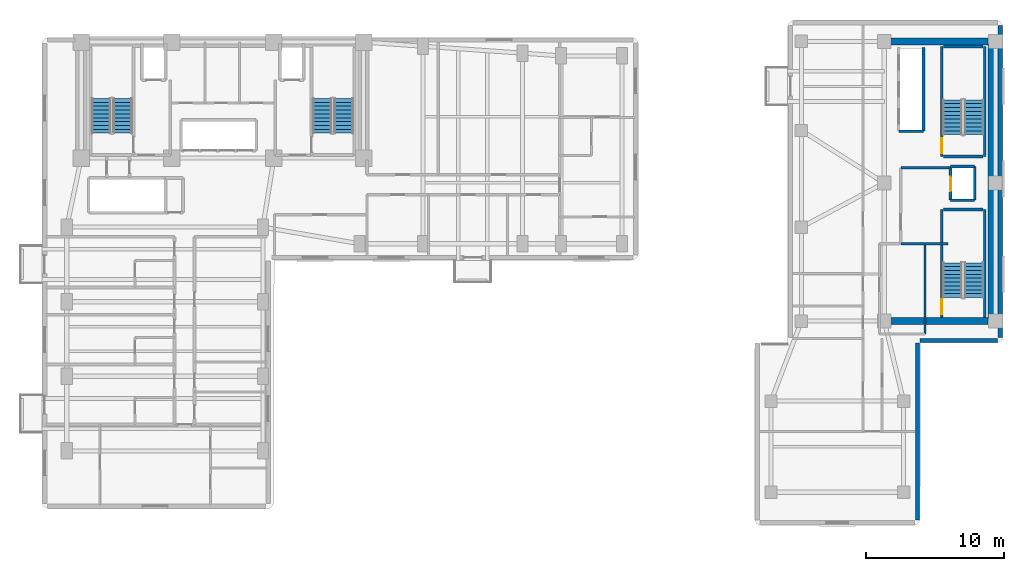
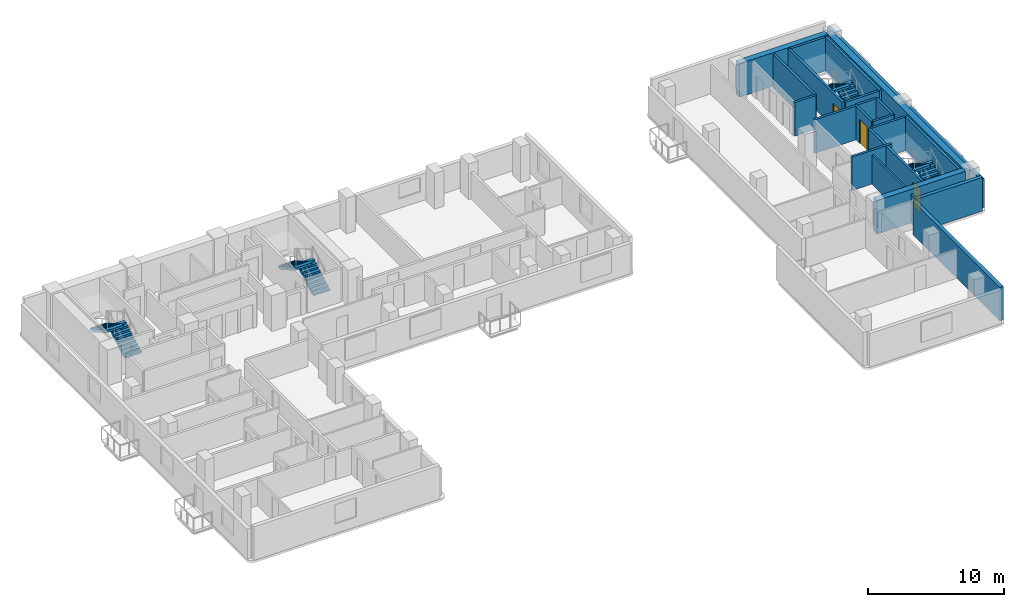
# One storey, part 7 of 11: 22 walls, 8 stair flights, 3 doors, 3 openings, 4 elements without a shape of their own.
"""IFC4 building model written with IfcOpenShell, lengths in metres."""

from ifc_helpers import new_model, si_unit, direction, frame, frame_2d, origin, place, context, subcontext, project, spatial, polyline, rectangle, outline, extrude, material, layer, layer_set, type_object, element, fill, aggregate, save


model = new_model("IFC4")

# Units and contexts
model_context = context("Model", 3, precision=1e-05, world=origin(), true_north=direction((0.0, 1.0)))
body_context = subcontext(model_context, "Body", "Model", "MODEL_VIEW")
ifc_project = project(units=[si_unit("LENGTHUNIT", "METRE"), si_unit("AREAUNIT", "SQUARE_METRE"), si_unit("VOLUMEUNIT", "CUBIC_METRE"), si_unit("PLANEANGLEUNIT", "RADIAN"), si_unit("MASSUNIT", "GRAM", prefix="KILO")], contexts=[model_context])

# Site, building, storey
site_placement = place(None, origin())
site = spatial("IfcSite", under=ifc_project, at=site_placement, CompositionType="ELEMENT")
building_placement = place(site_placement, origin())
building = spatial("IfcBuilding", under=site, at=building_placement, Name="Kuzgunbayir Cultural Tower", CompositionType="ELEMENT")
storey_placement = place(building_placement, frame((0.0, 0.0, 83.39990234375)))
storey = spatial("IfcBuildingStorey", under=building, at=storey_placement, Name="L23", CompositionType="ELEMENT", Elevation=83.39990234375)

# Walls
ifc_material_1 = material(Name="Anatolian Cream Limestone", Category="masonry")
ifc_layer_1 = layer(ifc_material_1, 0.300048828125)
ifc_layer_set_1 = layer_set([ifc_layer_1], Name="Anatolian Cream Limestone")
wall_type_1 = type_object("IfcWallType", Name="WAL-EXT-STONE-300", PredefinedType="STANDARD", material=ifc_layer_set_1)
wall_1_placement = place(storey_placement, frame((73.0, 20.800048828125, 0.0), z_axis=(0.0, 0.0, 1.0), x_axis=(0.0, 1.0, 0.0)))
element("IfcWall", 1, at=wall_1_placement, inside=storey, type_object=wall_type_1, Name="L23 Companion East Limestone Wall", PredefinedType="STANDARD", context=body_context, shape_type="SweptSolid", body=[
    extrude(rectangle(XDim=22.599853515625, YDim=0.300048828125, at=frame_2d((11.2998046875, 0.0))), origin(), (0.0, 0.0, 1.0), 2.60009765625),
])
wall_2_placement = place(storey_placement, frame((67.0, 7.60009765625, 0.0), z_axis=(0.0, 0.0, 1.0), x_axis=(0.0, 1.0, 0.0)))
element("IfcWall", 2, at=wall_2_placement, inside=storey, type_object=wall_type_1, Name="L23 Companion Wing B East Wall", PredefinedType="STANDARD", context=body_context, shape_type="SweptSolid", body=[
    extrude(rectangle(XDim=12.7998046875, YDim=0.300048828125, at=frame_2d((6.39990234375, 0.0))), origin(), (0.0, 0.0, 1.0), 3.02001953125),
])
wall_3_placement = place(storey_placement, frame((67.199951171875, 20.60009765625, 0.0), z_axis=(0.0, 0.0, 1.0), x_axis=(1.0, 0.0, 0.0)))
element("IfcWall", 3, at=wall_3_placement, inside=storey, type_object=wall_type_1, Name="L23 Companion South-East Link", PredefinedType="STANDARD", context=body_context, shape_type="SweptSolid", body=[
    extrude(rectangle(XDim=5.60009765625, YDim=0.300048828125, at=frame_2d((2.800048828125, 0.0))), origin(), (0.0, 0.0, 1.0), 3.02001953125),
])
ifc_material_2 = material(Name="Acoustic Double-Stud Drywall", Category="gypsum")
ifc_layer_2 = layer(ifc_material_2, 0.14990234375)
ifc_layer_set_2 = layer_set([ifc_layer_2], Name="Acoustic Double-Stud Drywall")
wall_type_2 = type_object("IfcWallType", Name="WAL-PART-ACOUSTIC-150", PredefinedType="PARTITIONING", material=ifc_layer_set_2)
wall_4_placement = place(storey_placement, frame((67.550048828125, 21.050048828125, 0.0), z_axis=(0.0, 0.0, 1.0), x_axis=(0.0, 1.0, 0.0)))
element("IfcWall", 4, at=wall_4_placement, inside=storey, type_object=wall_type_2, Name="L23 Companion Archive East Wall", PredefinedType="PARTITIONING", context=body_context, shape_type="SweptSolid", body=[
    extrude(rectangle(XDim=6.469970703125, YDim=0.14990234375, at=frame_2d((3.23486328125, 0.0))), origin(), (0.0, 0.0, 1.0), 2.60009765625),
])
ifc_material_3 = material(Name="Aerated Concrete Blockwork", Category="masonry")
ifc_layer_3 = layer(ifc_material_3, 0.199951171875)
ifc_layer_set_3 = layer_set([ifc_layer_3], Name="Aerated Concrete Blockwork")
wall_type_3 = type_object("IfcWallType", Name="WAL-PART-FIRE-200", PredefinedType="PARTITIONING", material=ifc_layer_set_3)
wall_5_placement = place(storey_placement, frame((65.800048828125, 33.10009765625, 0.0), z_axis=(0.0, 0.0, 1.0), x_axis=(1.0, 0.0, 0.0)))
element("IfcWall", 5, at=wall_5_placement, inside=storey, type_object=wall_type_3, Name="L23 FFL-3 Lobby North Fire Wall", PredefinedType="PARTITIONING", context=body_context, shape_type="SweptSolid", body=[
    extrude(rectangle(XDim=3.599853515625, YDim=0.199951171875, at=frame_2d((1.7998046875, 0.0))), origin(), (0.0, 0.0, 1.0), 3.02001953125),
])
wall_6_placement = place(storey_placement, frame((65.800048828125, 27.60009765625, 0.0), z_axis=(0.0, 0.0, 1.0), x_axis=(1.0, 0.0, 0.0)))
element("IfcWall", 6, at=wall_6_placement, inside=storey, type_object=wall_type_3, Name="L23 FFL-3 Lobby South Fire Wall", PredefinedType="PARTITIONING", context=body_context, shape_type="SweptSolid", body=[
    extrude(rectangle(XDim=3.39990234375, YDim=0.199951171875, at=frame_2d((1.699951171875, 0.0))), origin(), (0.0, 0.0, 1.0), 3.02001953125),
])
ifc_material_4 = material(Name="Concrete C40/50", Category="concrete")
ifc_layer_4 = layer(ifc_material_4, 0.199951171875)
ifc_layer_set_4 = layer_set([ifc_layer_4], Name="Concrete C40/50")
wall_type_4 = type_object("IfcWallType", Name="WAL-SHAFT-200", PredefinedType="MOVABLE", material=ifc_layer_set_4)
wall_7_placement = place(storey_placement, frame((67.449951171875, 35.75, 0.0), z_axis=(0.0, 0.0, 1.0), x_axis=(0.0, 1.0, 0.0)))
element("IfcWall", 7, at=wall_7_placement, inside=storey, type_object=wall_type_4, Name="L23 Companion Lift Shaft Back Wall", PredefinedType="MOVABLE", context=body_context, shape_type="SweptSolid", body=[
    extrude(rectangle(XDim=6.050048828125, YDim=0.199951171875, at=frame_2d((3.02490234375, 0.0))), origin(), (0.0, 0.0, 1.0), 3.02001953125),
])
wall_8_placement = place(storey_placement, frame((65.64990234375, 35.75, 0.0), z_axis=(0.0, 0.0, 1.0), x_axis=(1.0, 0.0, 0.0)))
element("IfcWall", 8, at=wall_8_placement, inside=storey, type_object=wall_type_4, Name="L23 Companion Lift Shaft South Wall", PredefinedType="MOVABLE", context=body_context, shape_type="SweptSolid", body=[
    extrude(rectangle(XDim=1.800048828125, YDim=0.199951171875, at=frame_2d((0.89990234375, 0.0))), origin(), (0.0, 0.0, 1.0), 3.02001953125),
])

# Wall, opening, door
wall_9_placement = place(storey_placement, frame((69.39990234375, 30.75, 0.0), z_axis=(0.0, 0.0, 1.0), x_axis=(0.0, 1.0, 0.0)))
wall_9 = element("IfcWall", 9, at=wall_9_placement, inside=storey, type_object=wall_type_4, Name="L23 FFL-3 Lift Front Wall", PredefinedType="MOVABLE", context=body_context, shape_type="SweptSolid", body=[
    extrude(rectangle(XDim=2.449951171875, YDim=0.199951171875, at=frame_2d((1.22509765625, 0.0))), origin(), (0.0, 0.0, 1.0), 3.02001953125),
])
opening_1_placement = place(wall_9_placement, frame((0.64990234375, 0.0, 0.0)))
opening_1 = element("IfcOpeningElement", 10, at=opening_1_placement, cuts=wall_9, Name="Opening LD", PredefinedType="OPENING", context=body_context, shape_type="SweptSolid", body=[
    extrude(rectangle(XDim=1.050048828125, YDim=2.14990234375, at=frame_2d((0.52490234375, 1.074951171875))), frame((0.0, 0.10986328125, 0.0), z_axis=(0.0, -1.0, 0.0), x_axis=(1.0, 0.0, 0.0)), (0.0, 0.0, 1.0), 0.219970703125),
])
ifc_material_5 = material(Name="Brushed Stainless Steel", Category="steel")
door_type_1 = type_object("IfcDoorType", Name="DR-LIFT-LANDING", OperationType="SLIDING_TO_LEFT", PredefinedType="DOOR", material=ifc_material_5)
door_1_placement = place(opening_1_placement, origin())
door_1 = element("IfcDoor", 11, at=door_1_placement, inside=storey, type_object=door_type_1, Name="L23 Lift FFL-3 Landing Door", OperationType="SLIDING_TO_LEFT", OverallHeight=2.14990234375, OverallWidth=1.050048828125, PredefinedType="DOOR", context=body_context, shape_type="SweptSolid", body=[
    extrude(rectangle(XDim=1.050048828125, YDim=2.14990234375, at=frame_2d((0.52490234375, 1.074951171875))), frame((0.0, 0.02490234375, 0.0), z_axis=(0.0, -1.0, 0.0), x_axis=(1.0, 0.0, 0.0)), (0.0, 0.0, 1.0), 0.050048828125),
])
fill(opening_1, door_1)

# Walls
wall_10_placement = place(storey_placement, frame((71.14990234375, 30.75, 0.0), z_axis=(0.0, 0.0, 1.0), x_axis=(0.0, 1.0, 0.0)))
element("IfcWall", 12, at=wall_10_placement, inside=storey, type_object=wall_type_4, Name="L23 FFL-3 Shaft Back Wall", PredefinedType="MOVABLE", context=body_context, shape_type="SweptSolid", body=[
    extrude(rectangle(XDim=2.449951171875, YDim=0.199951171875, at=frame_2d((1.22509765625, 0.0))), origin(), (0.0, 0.0, 1.0), 3.02001953125),
])
for number, where, z_axis, x_axis, name in (
    (13, (69.39990234375, 33.199951171875, 0.0), (0.0, 0.0, 1.0), (1.0, 0.0, 0.0), "L23 FFL-3 Shaft North Wall"),
    (14, (69.39990234375, 30.75, 0.0), (0.0, 0.0, 1.0), (1.0, 0.0, 0.0), "L23 FFL-3 Shaft South Wall"),
):
    element("IfcWall", number, at=place(storey_placement, frame(where, z_axis=z_axis, x_axis=x_axis)), inside=storey, type_object=wall_type_4, Name=name, PredefinedType="MOVABLE", context=body_context, shape_type="SweptSolid", body=[
        extrude(rectangle(XDim=1.75, YDim=0.199951171875, at=frame_2d((0.875, 0.0))), origin(), (0.0, 0.0, 1.0), 3.02001953125),
    ])

# Wall, opening, door
ifc_layer_5 = layer(ifc_material_4, 0.199951171875)
ifc_layer_set_5 = layer_set([ifc_layer_5], Name="Concrete C40/50")
wall_type_5 = type_object("IfcWallType", Name="WAL-STAIR-RC-200", PredefinedType="SHEAR", material=ifc_layer_set_5)
wall_11_placement = place(storey_placement, frame((68.760009765625, 22.260009765625, 0.0), z_axis=(0.0, 0.0, 1.0), x_axis=(0.0, 1.0, 0.0)))
wall_11 = element("IfcWall", 15, at=wall_11_placement, inside=storey, type_object=wall_type_5, Name="L23 Stair ST-3 West Structural Wall", PredefinedType="SHEAR", context=body_context, shape_type="SweptSolid", body=[
    extrude(rectangle(XDim=7.820068359375, YDim=0.199951171875, at=frame_2d((3.91015625, 0.0))), origin(), (0.0, 0.0, 1.0), 3.02001953125),
])
opening_2_placement = place(wall_11_placement, frame((0.219970703125, 0.0, 0.0)))
opening_2 = element("IfcOpeningElement", 16, at=opening_2_placement, cuts=wall_11, Name="Opening DR-STAIR-90", PredefinedType="OPENING", context=body_context, shape_type="SweptSolid", body=[
    extrude(rectangle(XDim=1.10009765625, YDim=2.14990234375, at=frame_2d((0.550048828125, 1.074951171875))), frame((0.0, 0.10986328125, 0.0), z_axis=(0.0, -1.0, 0.0), x_axis=(1.0, 0.0, 0.0)), (0.0, 0.0, 1.0), 0.219970703125),
])
ifc_material_6 = material(Name="Steel S355J2", Category="steel")
door_type_2 = type_object("IfcDoorType", Name="DR-STAIR-90", OperationType="NOTDEFINED", PredefinedType="DOOR", material=ifc_material_6)
door_2_placement = place(opening_2_placement, origin())
door_2 = element("IfcDoor", 17, at=door_2_placement, inside=storey, type_object=door_type_2, Name="L23 Stair ST-3 Fire Door", OperationType="SINGLE_SWING_LEFT", OverallHeight=2.14990234375, OverallWidth=1.10009765625, PredefinedType="DOOR", context=body_context, shape_type="SweptSolid", body=[
    extrude(rectangle(XDim=1.10009765625, YDim=2.14990234375, at=frame_2d((0.550048828125, 1.074951171875))), frame((0.0, 0.02490234375, 0.0), z_axis=(0.0, -1.0, 0.0), x_axis=(1.0, 0.0, 0.0)), (0.0, 0.0, 1.0), 0.050048828125),
])
fill(opening_2, door_2)

# Walls
wall_12_placement = place(storey_placement, frame((71.8798828125, 22.260009765625, 0.0), z_axis=(0.0, 0.0, 1.0), x_axis=(0.0, 1.0, 0.0)))
element("IfcWall", 18, at=wall_12_placement, inside=storey, type_object=wall_type_5, Name="L23 Stair ST-3 East Structural Wall", PredefinedType="SHEAR", context=body_context, shape_type="SweptSolid", body=[
    extrude(rectangle(XDim=7.820068359375, YDim=0.199951171875, at=frame_2d((3.91015625, 0.0))), origin(), (0.0, 0.0, 1.0), 3.02001953125),
])
wall_13_placement = place(storey_placement, frame((68.8798828125, 30.080078125, 0.0), z_axis=(0.0, 0.0, 1.0), x_axis=(1.0, 0.0, 0.0)))
element("IfcWall", 19, at=wall_13_placement, inside=storey, type_object=wall_type_5, Name="L23 Stair ST-3 North Structural Wall", PredefinedType="SHEAR", context=body_context, shape_type="SweptSolid", body=[
    extrude(rectangle(XDim=2.880126953125, YDim=0.199951171875, at=frame_2d((1.43994140625, 0.0))), origin(), (0.0, 0.0, 1.0), 3.02001953125),
])

# Wall, opening, door
wall_14_placement = place(storey_placement, frame((68.760009765625, 33.919921875, 0.0), z_axis=(0.0, 0.0, 1.0), x_axis=(0.0, 1.0, 0.0)))
wall_14 = element("IfcWall", 20, at=wall_14_placement, inside=storey, type_object=wall_type_5, Name="L23 Stair ST-4 West Structural Wall", PredefinedType="SHEAR", context=body_context, shape_type="SweptSolid", body=[
    extrude(rectangle(XDim=7.9599609375, YDim=0.199951171875, at=frame_2d((3.97998046875, 0.0))), origin(), (0.0, 0.0, 1.0), 3.02001953125),
])
opening_3_placement = place(wall_14_placement, frame((0.219970703125, 0.0, 0.0)))
opening_3 = element("IfcOpeningElement", 21, at=opening_3_placement, cuts=wall_14, Name="Opening DR-STAIR-90", PredefinedType="OPENING", context=body_context, shape_type="SweptSolid", body=[
    extrude(rectangle(XDim=1.10009765625, YDim=2.14990234375, at=frame_2d((0.550048828125, 1.074951171875))), frame((0.0, 0.10986328125, 0.0), z_axis=(0.0, -1.0, 0.0), x_axis=(1.0, 0.0, 0.0)), (0.0, 0.0, 1.0), 0.219970703125),
])
door_3_placement = place(opening_3_placement, origin())
door_3 = element("IfcDoor", 22, at=door_3_placement, inside=storey, type_object=door_type_2, Name="L23 Stair ST-4 Fire Door", OperationType="SINGLE_SWING_RIGHT", OverallHeight=2.14990234375, OverallWidth=1.10009765625, PredefinedType="DOOR", context=body_context, shape_type="SweptSolid", body=[
    extrude(rectangle(XDim=1.10009765625, YDim=2.14990234375, at=frame_2d((0.550048828125, 1.074951171875))), frame((0.0, 0.02490234375, 0.0), z_axis=(0.0, -1.0, 0.0), x_axis=(1.0, 0.0, 0.0)), (0.0, 0.0, 1.0), 0.050048828125),
])
fill(opening_3, door_3)

# Walls
wall_15_placement = place(storey_placement, frame((71.8798828125, 33.919921875, 0.0), z_axis=(0.0, 0.0, 1.0), x_axis=(0.0, 1.0, 0.0)))
element("IfcWall", 23, at=wall_15_placement, inside=storey, type_object=wall_type_5, Name="L23 Stair ST-4 East Structural Wall", PredefinedType="SHEAR", context=body_context, shape_type="SweptSolid", body=[
    extrude(rectangle(XDim=7.9599609375, YDim=0.199951171875, at=frame_2d((3.97998046875, 0.0))), origin(), (0.0, 0.0, 1.0), 3.02001953125),
])
for number, where, z_axis, x_axis, name in (
    (24, (68.8798828125, 41.8798828125, 0.0), (0.0, 0.0, 1.0), (1.0, 0.0, 0.0), "L23 Stair ST-4 North Structural Wall"),
    (25, (68.8798828125, 33.919921875, 0.0), (0.0, 0.0, 1.0), (1.0, 0.0, 0.0), "L23 Stair ST-4 South Structural Wall"),
):
    element("IfcWall", number, at=place(storey_placement, frame(where, z_axis=z_axis, x_axis=x_axis)), inside=storey, type_object=wall_type_5, Name=name, PredefinedType="SHEAR", context=body_context, shape_type="SweptSolid", body=[
        extrude(rectangle(XDim=2.880126953125, YDim=0.199951171875, at=frame_2d((1.43994140625, 0.0))), origin(), (0.0, 0.0, 1.0), 3.02001953125),
    ])
ifc_material_7 = material(Name="Concrete C60/75", Category="concrete")
ifc_layer_6 = layer(ifc_material_7, 0.5)
ifc_layer_set_6 = layer_set([ifc_layer_6], Name="Concrete C60/75")
wall_type_6 = type_object("IfcWallType", Name="WAL-T2-CORE-500", PredefinedType="SHEAR", material=ifc_layer_set_6)
wall_16_placement = place(storey_placement, frame((72.35009765625, 22.0, 0.0), z_axis=(0.0, 0.0, 1.0), x_axis=(0.0, 1.0, 0.0)))
element("IfcWall", 26, at=wall_16_placement, inside=storey, type_object=wall_type_6, Name="L23 Companion Core East Shear Wall", PredefinedType="SHEAR", context=body_context, shape_type="SweptSolid", body=[
    extrude(rectangle(XDim=20.25, YDim=0.5, at=frame_2d((10.125, 0.0))), origin(), (0.0, 0.0, 1.0), 3.02001953125),
])
for number, where, z_axis, x_axis, name in (
    (27, (64.60009765625, 42.25, 0.0), (0.0, 0.0, 1.0), (1.0, 0.0, 0.0), "L23 Companion Core North Shear Wall"),
    (28, (64.60009765625, 22.0, 0.0), (0.0, 0.0, 1.0), (1.0, 0.0, 0.0), "L23 Companion Core South Shear Wall"),
):
    element("IfcWall", number, at=place(storey_placement, frame(where, z_axis=z_axis, x_axis=x_axis)), inside=storey, type_object=wall_type_6, Name=name, PredefinedType="SHEAR", context=body_context, shape_type="SweptSolid", body=[
        extrude(rectangle(XDim=7.5, YDim=0.5, at=frame_2d((3.75, 0.0))), origin(), (0.0, 0.0, 1.0), 3.02001953125),
    ])

# Stair, stair flights
stair_type = type_object("IfcStairType", Name="STR-EXIT-CORE", PredefinedType="HALF_TURN_STAIR", material=ifc_material_4)
stair_1_placement = place(storey_placement, origin())
stair_1 = element("IfcStair", 29, at=stair_1_placement, inside=storey, type_object=stair_type, Name="L23 ST-1", PredefinedType="HALF_TURN_STAIR")
stair_flight_type = type_object("IfcStairFlightType", Name="STRF-RC-140", PredefinedType="STRAIGHT", material=ifc_material_4)
stair_flight_1_placement = place(storey_placement, frame((9.4599609375, 35.60009765625, 0.0), z_axis=(0.0, 0.0, 1.0), x_axis=(0.0, 1.0, 0.0)))
stair_flight_1 = element("IfcStairFlight", 30, at=stair_flight_1_placement, type_object=stair_flight_type, Name="ST-1 flight 1", NumberOfRisers=10, NumberOfTreads=9, PredefinedType="STRAIGHT", RiserHeight=0.16, TreadLength=0.28, context=body_context, shape_type="SweptSolid", body=[
    extrude(outline(polyline([(0.0, 0.0), (0.0, 0.159912109375), (0.280029296875, 0.159912109375), (0.280029296875, 0.320068359375), (0.56005859375, 0.320068359375), (0.56005859375, 0.47998046875), (0.840087890625, 0.47998046875), (0.840087890625, 0.639892578125), (1.1201171875, 0.639892578125), (1.1201171875, 0.800048828125), (1.39990234375, 0.800048828125), (1.39990234375, 0.9599609375), (1.679931640625, 0.9599609375), (1.679931640625, 1.1201171875), (1.9599609375, 1.1201171875), (1.9599609375, 1.280029296875), (2.239990234375, 1.280029296875), (2.239990234375, 1.43994140625), (2.52001953125, 1.43994140625), (2.52001953125, 1.60009765625), (2.52001953125, 1.232666015625), (0.362548828125, 0.0), (0.0, 0.0)])), frame((0.0, 0.699951171875, 0.0), z_axis=(0.0, -1.0, 0.0), x_axis=(1.0, 0.0, 0.0)), (0.0, 0.0, 1.0), 1.39990234375),
])
stair_flight_2_placement = place(storey_placement, frame((7.89990234375, 38.1201171875, 1.60009765625), z_axis=(0.0, 0.0, 1.0), x_axis=(0.0, -1.0, 0.0)))
stair_flight_2 = element("IfcStairFlight", 31, at=stair_flight_2_placement, type_object=stair_flight_type, Name="ST-1 flight 2", NumberOfRisers=10, NumberOfTreads=9, PredefinedType="STRAIGHT", RiserHeight=0.16, TreadLength=0.28, context=body_context, shape_type="SweptSolid", body=[
    extrude(outline(polyline([(0.0, 0.0), (0.0, 0.159912109375), (0.280029296875, 0.159912109375), (0.280029296875, 0.320068359375), (0.56005859375, 0.320068359375), (0.56005859375, 0.47998046875), (0.840087890625, 0.47998046875), (0.840087890625, 0.639892578125), (1.1201171875, 0.639892578125), (1.1201171875, 0.800048828125), (1.39990234375, 0.800048828125), (1.39990234375, 0.9599609375), (1.679931640625, 0.9599609375), (1.679931640625, 1.1201171875), (1.9599609375, 1.1201171875), (1.9599609375, 1.280029296875), (2.239990234375, 1.280029296875), (2.239990234375, 1.43994140625), (2.52001953125, 1.43994140625), (2.52001953125, 1.60009765625), (2.52001953125, 1.232666015625), (0.362548828125, 0.0), (0.0, 0.0)])), frame((0.0, 0.699951171875, 0.0), z_axis=(0.0, -1.0, 0.0), x_axis=(1.0, 0.0, 0.0)), (0.0, 0.0, 1.0), 1.39990234375),
])
aggregate(stair_1, [stair_flight_1, stair_flight_2])

stair_2_placement = place(storey_placement, origin())
stair_2 = element("IfcStair", 32, at=stair_2_placement, inside=storey, type_object=stair_type, Name="L23 ST-2", PredefinedType="HALF_TURN_STAIR")
stair_flight_3_placement = place(storey_placement, frame((25.4599609375, 35.60009765625, 0.0), z_axis=(0.0, 0.0, 1.0), x_axis=(0.0, 1.0, 0.0)))
stair_flight_3 = element("IfcStairFlight", 33, at=stair_flight_3_placement, type_object=stair_flight_type, Name="ST-2 flight 1", NumberOfRisers=10, NumberOfTreads=9, PredefinedType="STRAIGHT", RiserHeight=0.16, TreadLength=0.28, context=body_context, shape_type="SweptSolid", body=[
    extrude(outline(polyline([(0.0, 0.0), (0.0, 0.159912109375), (0.280029296875, 0.159912109375), (0.280029296875, 0.320068359375), (0.56005859375, 0.320068359375), (0.56005859375, 0.47998046875), (0.840087890625, 0.47998046875), (0.840087890625, 0.639892578125), (1.1201171875, 0.639892578125), (1.1201171875, 0.800048828125), (1.39990234375, 0.800048828125), (1.39990234375, 0.9599609375), (1.679931640625, 0.9599609375), (1.679931640625, 1.1201171875), (1.9599609375, 1.1201171875), (1.9599609375, 1.280029296875), (2.239990234375, 1.280029296875), (2.239990234375, 1.43994140625), (2.52001953125, 1.43994140625), (2.52001953125, 1.60009765625), (2.52001953125, 1.232666015625), (0.362548828125, 0.0), (0.0, 0.0)])), frame((0.0, 0.699951171875, 0.0), z_axis=(0.0, -1.0, 0.0), x_axis=(1.0, 0.0, 0.0)), (0.0, 0.0, 1.0), 1.39990234375),
])
stair_flight_4_placement = place(storey_placement, frame((23.89990234375, 38.1201171875, 1.60009765625), z_axis=(0.0, 0.0, 1.0), x_axis=(0.0, -1.0, 0.0)))
stair_flight_4 = element("IfcStairFlight", 34, at=stair_flight_4_placement, type_object=stair_flight_type, Name="ST-2 flight 2", NumberOfRisers=10, NumberOfTreads=9, PredefinedType="STRAIGHT", RiserHeight=0.16, TreadLength=0.28, context=body_context, shape_type="SweptSolid", body=[
    extrude(outline(polyline([(0.0, 0.0), (0.0, 0.159912109375), (0.280029296875, 0.159912109375), (0.280029296875, 0.320068359375), (0.56005859375, 0.320068359375), (0.56005859375, 0.47998046875), (0.840087890625, 0.47998046875), (0.840087890625, 0.639892578125), (1.1201171875, 0.639892578125), (1.1201171875, 0.800048828125), (1.39990234375, 0.800048828125), (1.39990234375, 0.9599609375), (1.679931640625, 0.9599609375), (1.679931640625, 1.1201171875), (1.9599609375, 1.1201171875), (1.9599609375, 1.280029296875), (2.239990234375, 1.280029296875), (2.239990234375, 1.43994140625), (2.52001953125, 1.43994140625), (2.52001953125, 1.60009765625), (2.52001953125, 1.232666015625), (0.362548828125, 0.0), (0.0, 0.0)])), frame((0.0, 0.699951171875, 0.0), z_axis=(0.0, -1.0, 0.0), x_axis=(1.0, 0.0, 0.0)), (0.0, 0.0, 1.0), 1.39990234375),
])
aggregate(stair_2, [stair_flight_3, stair_flight_4])

stair_3_placement = place(storey_placement, origin())
stair_3 = element("IfcStair", 35, at=stair_3_placement, inside=storey, type_object=stair_type, Name="L23 ST-3", PredefinedType="HALF_TURN_STAIR")
stair_flight_5_placement = place(storey_placement, frame((71.10009765625, 23.699951171875, 0.0), z_axis=(0.0, 0.0, 1.0), x_axis=(0.0, 1.0, 0.0)))
stair_flight_5 = element("IfcStairFlight", 36, at=stair_flight_5_placement, type_object=stair_flight_type, Name="ST-3 flight 1", NumberOfRisers=10, NumberOfTreads=9, PredefinedType="STRAIGHT", RiserHeight=0.16, TreadLength=0.28, context=body_context, shape_type="SweptSolid", body=[
    extrude(outline(polyline([(0.0, 0.0), (0.0, 0.159912109375), (0.280029296875, 0.159912109375), (0.280029296875, 0.320068359375), (0.56005859375, 0.320068359375), (0.56005859375, 0.47998046875), (0.840087890625, 0.47998046875), (0.840087890625, 0.639892578125), (1.1201171875, 0.639892578125), (1.1201171875, 0.800048828125), (1.39990234375, 0.800048828125), (1.39990234375, 0.9599609375), (1.679931640625, 0.9599609375), (1.679931640625, 1.1201171875), (1.9599609375, 1.1201171875), (1.9599609375, 1.280029296875), (2.239990234375, 1.280029296875), (2.239990234375, 1.43994140625), (2.52001953125, 1.43994140625), (2.52001953125, 1.60009765625), (2.52001953125, 1.232666015625), (0.362548828125, 0.0), (0.0, 0.0)])), frame((0.0, 0.699951171875, 0.0), z_axis=(0.0, -1.0, 0.0), x_axis=(1.0, 0.0, 0.0)), (0.0, 0.0, 1.0), 1.39990234375),
])
stair_flight_6_placement = place(storey_placement, frame((69.5400390625, 26.219970703125, 1.60009765625), z_axis=(0.0, 0.0, 1.0), x_axis=(0.0, -1.0, 0.0)))
stair_flight_6 = element("IfcStairFlight", 37, at=stair_flight_6_placement, type_object=stair_flight_type, Name="ST-3 flight 2", NumberOfRisers=10, NumberOfTreads=9, PredefinedType="STRAIGHT", RiserHeight=0.16, TreadLength=0.28, context=body_context, shape_type="SweptSolid", body=[
    extrude(outline(polyline([(0.0, 0.0), (0.0, 0.159912109375), (0.280029296875, 0.159912109375), (0.280029296875, 0.320068359375), (0.56005859375, 0.320068359375), (0.56005859375, 0.47998046875), (0.840087890625, 0.47998046875), (0.840087890625, 0.639892578125), (1.1201171875, 0.639892578125), (1.1201171875, 0.800048828125), (1.39990234375, 0.800048828125), (1.39990234375, 0.9599609375), (1.679931640625, 0.9599609375), (1.679931640625, 1.1201171875), (1.9599609375, 1.1201171875), (1.9599609375, 1.280029296875), (2.239990234375, 1.280029296875), (2.239990234375, 1.43994140625), (2.52001953125, 1.43994140625), (2.52001953125, 1.60009765625), (2.52001953125, 1.232666015625), (0.362548828125, 0.0), (0.0, 0.0)])), frame((0.0, 0.699951171875, 0.0), z_axis=(0.0, -1.0, 0.0), x_axis=(1.0, 0.0, 0.0)), (0.0, 0.0, 1.0), 1.39990234375),
])
aggregate(stair_3, [stair_flight_5, stair_flight_6])

stair_4_placement = place(storey_placement, origin())
stair_4 = element("IfcStair", 38, at=stair_4_placement, inside=storey, type_object=stair_type, Name="L23 ST-4", PredefinedType="HALF_TURN_STAIR")
stair_flight_7_placement = place(storey_placement, frame((71.10009765625, 35.5, 0.0), z_axis=(0.0, 0.0, 1.0), x_axis=(0.0, 1.0, 0.0)))
stair_flight_7 = element("IfcStairFlight", 39, at=stair_flight_7_placement, type_object=stair_flight_type, Name="ST-4 flight 1", NumberOfRisers=10, NumberOfTreads=9, PredefinedType="STRAIGHT", RiserHeight=0.16, TreadLength=0.28, context=body_context, shape_type="SweptSolid", body=[
    extrude(outline(polyline([(0.0, 0.0), (0.0, 0.159912109375), (0.280029296875, 0.159912109375), (0.280029296875, 0.320068359375), (0.56005859375, 0.320068359375), (0.56005859375, 0.47998046875), (0.840087890625, 0.47998046875), (0.840087890625, 0.639892578125), (1.1201171875, 0.639892578125), (1.1201171875, 0.800048828125), (1.39990234375, 0.800048828125), (1.39990234375, 0.9599609375), (1.679931640625, 0.9599609375), (1.679931640625, 1.1201171875), (1.9599609375, 1.1201171875), (1.9599609375, 1.280029296875), (2.239990234375, 1.280029296875), (2.239990234375, 1.43994140625), (2.52001953125, 1.43994140625), (2.52001953125, 1.60009765625), (2.52001953125, 1.232666015625), (0.362548828125, 0.0), (0.0, 0.0)])), frame((0.0, 0.699951171875, 0.0), z_axis=(0.0, -1.0, 0.0), x_axis=(1.0, 0.0, 0.0)), (0.0, 0.0, 1.0), 1.39990234375),
])
stair_flight_8_placement = place(storey_placement, frame((69.5400390625, 38.02001953125, 1.60009765625), z_axis=(0.0, 0.0, 1.0), x_axis=(0.0, -1.0, 0.0)))
stair_flight_8 = element("IfcStairFlight", 40, at=stair_flight_8_placement, type_object=stair_flight_type, Name="ST-4 flight 2", NumberOfRisers=10, NumberOfTreads=9, PredefinedType="STRAIGHT", RiserHeight=0.16, TreadLength=0.28, context=body_context, shape_type="SweptSolid", body=[
    extrude(outline(polyline([(0.0, 0.0), (0.0, 0.159912109375), (0.280029296875, 0.159912109375), (0.280029296875, 0.320068359375), (0.56005859375, 0.320068359375), (0.56005859375, 0.47998046875), (0.840087890625, 0.47998046875), (0.840087890625, 0.639892578125), (1.1201171875, 0.639892578125), (1.1201171875, 0.800048828125), (1.39990234375, 0.800048828125), (1.39990234375, 0.9599609375), (1.679931640625, 0.9599609375), (1.679931640625, 1.1201171875), (1.9599609375, 1.1201171875), (1.9599609375, 1.280029296875), (2.239990234375, 1.280029296875), (2.239990234375, 1.43994140625), (2.52001953125, 1.43994140625), (2.52001953125, 1.60009765625), (2.52001953125, 1.232666015625), (0.362548828125, 0.0), (0.0, 0.0)])), frame((0.0, 0.699951171875, 0.0), z_axis=(0.0, -1.0, 0.0), x_axis=(1.0, 0.0, 0.0)), (0.0, 0.0, 1.0), 1.39990234375),
])
aggregate(stair_4, [stair_flight_7, stair_flight_8])

save(model, "model.ifc")
